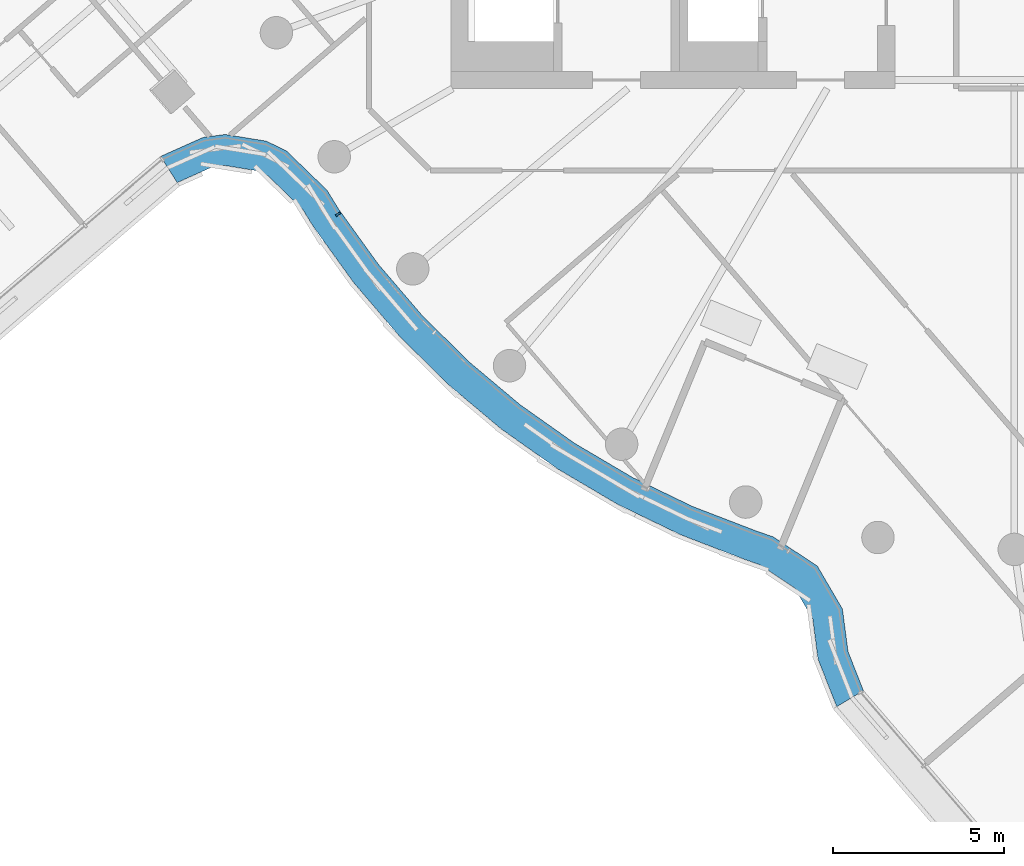
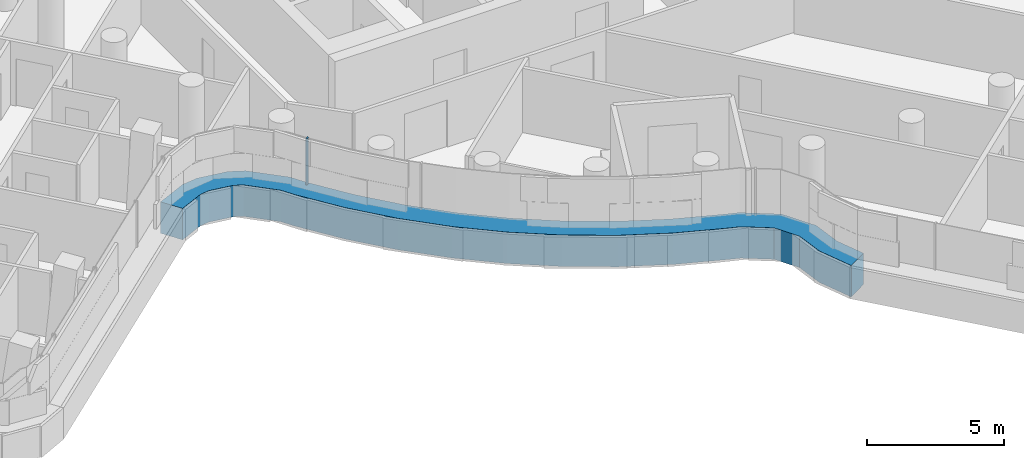
# One storey, part 3 of 34: 2 members, 1 element without a shape of its own.
"""IFC4 building model written with IfcOpenShell, lengths in metres."""

from ifc_helpers import new_model, si_unit, direction, frame, origin, origin_2d, place, context, subcontext, project, spatial, polyline, rectangle, outline, extrude, material, layer, layer_set, material_profile, profile_set, type_object, element, aggregate, save


model = new_model("IFC4")

# Units and contexts
model_context = context("Model", 3, precision=1e-05, world=origin(), true_north=direction((0.0, 1.0)))
body_context = subcontext(model_context, "Body", "Model", "MODEL_VIEW")
ifc_project = project(units=[si_unit("LENGTHUNIT", "METRE"), si_unit("AREAUNIT", "SQUARE_METRE"), si_unit("VOLUMEUNIT", "CUBIC_METRE"), si_unit("PLANEANGLEUNIT", "RADIAN"), si_unit("MASSUNIT", "GRAM", prefix="KILO")], contexts=[model_context])

# Site, building, storey
site_placement = place(None, origin())
site = spatial("IfcSite", under=ifc_project, at=site_placement, CompositionType="ELEMENT")
building_placement = place(site_placement, origin())
building = spatial("IfcBuilding", under=site, at=building_placement, Name="Tamarind Cross Interchange Tower", CompositionType="ELEMENT")
storey_placement = place(building_placement, frame((0.0, 0.0, 182.5)))
storey = spatial("IfcBuildingStorey", under=building, at=storey_placement, Name="L45", CompositionType="ELEMENT", Elevation=182.5)

# Curtain wall, members
ifc_material_1 = material(Name="Aluminium 6063-T6", Category="aluminium")
ifc_layer = layer(ifc_material_1, 0.14990234375)
ifc_layer_set = layer_set([ifc_layer], Name="Aluminium 6063-T6")
curtain_wall_type = type_object("IfcCurtainWallType", Name="Winter garden and crown curtain wall", PredefinedType="NOTDEFINED", material=ifc_layer_set)
curtain_wall_placement = place(storey_placement, origin())
curtain_wall = element("IfcCurtainWall", 1, at=curtain_wall_placement, inside=storey, type_object=curtain_wall_type, Name="CWS-L45-06", PredefinedType="NOTDEFINED")
ifc_material_2 = material(Name="Aluminium and insulated spandrel panel", Category="aluminium")
member_type_1 = type_object("IfcMemberType", Name="Floor-edge blade transom", PredefinedType="USERDEFINED", material=ifc_material_2)
member_1_placement = place(storey_placement, origin())
member_1 = element("IfcMember", 2, at=member_1_placement, type_object=member_type_1, Name="CWT-L45-06", ObjectType="TRANSOM", PredefinedType="USERDEFINED", context=body_context, shape_type="SweptSolid", body=[
    extrude(outline(polyline([(-25.00537109375, -11.488525390625), (-23.755615234375, -10.9296875), (-23.112060546875, -10.845703125), (-21.90576171875, -11.0419921875), (-21.318115234375, -11.3271484375), (-20.130615234375, -12.47705078125), (-19.781982421875, -13.04443359375), (-18.636474609375, -14.634521484375), (-17.3642578125, -16.12353515625), (-15.973388671875, -17.50244140625), (-14.4736328125, -18.76171875), (-12.874755859375, -19.892822265625), (-11.188232421875, -20.88818359375), (-9.425048828125, -21.74072265625), (-7.590087890625, -22.447509765625), (-7.057373046875, -22.63427734375), (-5.76806640625, -23.48681640625), (-5.03369140625, -24.743408203125), (-4.869873046875, -25.989501953125), (-4.418701171875, -27.135986328125), (-5.2001953125, -27.607666015625), (-5.747802734375, -26.21630859375), (-5.90234375, -25.040771484375), (-6.439208984375, -24.121826171875), (-7.46044921875, -23.446533203125), (-7.90087890625, -23.292236328125), (-9.783203125, -22.567138671875), (-11.613525390625, -21.68212890625), (-13.3642578125, -20.64892578125), (-15.023681640625, -19.474853515625), (-16.580810546875, -18.167724609375), (-18.0244140625, -16.736572265625), (-19.344970703125, -15.19091796875), (-20.53173828125, -13.543701171875), (-20.838134765625, -13.044677734375), (-21.8408203125, -12.07373046875), (-22.18017578125, -11.9091796875), (-23.12646484375, -11.75537109375), (-23.508544921875, -11.80517578125), (-24.51904296875, -12.2568359375), (-25.00537109375, -11.488525390625)])), origin(), (0.0, 0.0, 1.0), 1.39990234375),
])
ifc_material_profile = material_profile(ifc_material_1, rectangle(XDim=0.06005859375, YDim=0.14990234375, at=origin_2d()), Name="Mullion CW6")
ifc_profile_set = profile_set([ifc_material_profile], Name="Aluminium 6063-T6")
member_type_2 = type_object("IfcMemberType", Name="Mullion CW6", PredefinedType="MULLION", material=ifc_profile_set)
member_2_placement = place(storey_placement, frame((-19.806396484375, -13.181884765625, 1.39990234375), z_axis=(0.0, 0.0, 1.0), x_axis=(0.584573890505, -0.811340475102, 0.0)))
member_2 = element("IfcMember", 3, at=member_2_placement, type_object=member_type_2, Name="CWM-L45-06-01", PredefinedType="MULLION", context=body_context, shape_type="SweptSolid", body=[
    extrude(rectangle(XDim=0.06005859375, YDim=0.14990234375, at=origin_2d()), origin(), (0.0, 0.0, 1.0), 2.06005859375),
])
aggregate(curtain_wall, [member_2, member_1])

save(model, "model.ifc")
